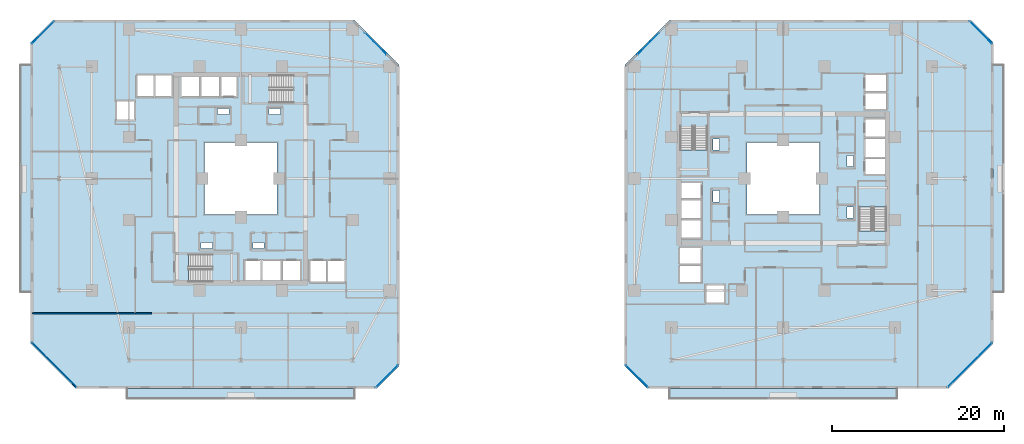
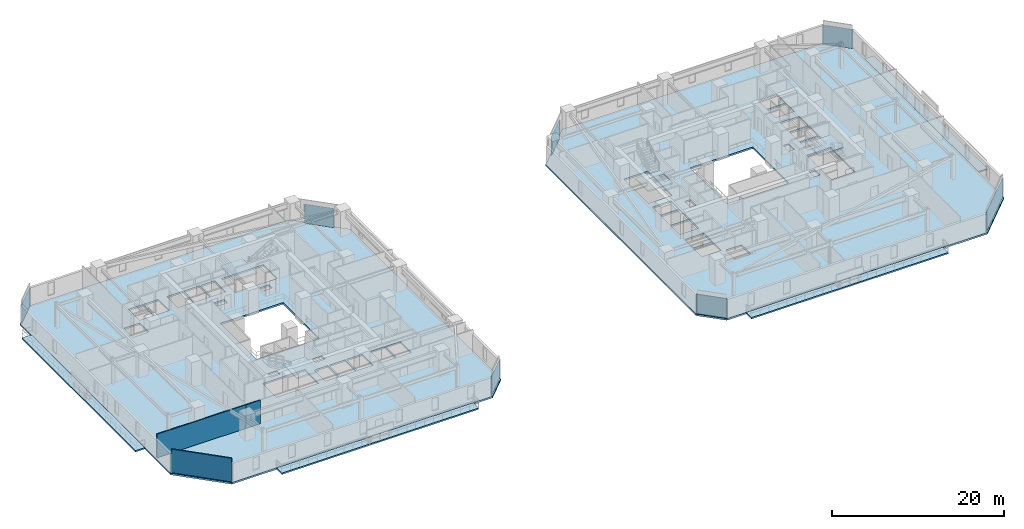
# One storey, part 17 of 33: 10 slabs, 8 plates, 3 walls, 12 elements without a shape of their own.
"""IFC4 building model written with IfcOpenShell, lengths in metres."""

from ifc_helpers import new_model, si_unit, direction, frame, frame_2d, origin, origin_2d, place, context, subcontext, project, spatial, polyline, rectangle, outline, extrude, material, layer, layer_set, type_object, element, aggregate, save


model = new_model("IFC4")

# Units and contexts
model_context = context("Model", 3, precision=1e-05, world=origin(), true_north=direction((0.0, 1.0)))
body_context = subcontext(model_context, "Body", "Model", "MODEL_VIEW")
ifc_project = project(units=[si_unit("LENGTHUNIT", "METRE"), si_unit("AREAUNIT", "SQUARE_METRE"), si_unit("VOLUMEUNIT", "CUBIC_METRE"), si_unit("PLANEANGLEUNIT", "RADIAN"), si_unit("MASSUNIT", "GRAM", prefix="KILO")], contexts=[model_context])

# Site, building, storey
site_placement = place(None, origin())
site = spatial("IfcSite", under=ifc_project, at=site_placement, CompositionType="ELEMENT")
building_placement = place(site_placement, origin())
building = spatial("IfcBuilding", under=site, at=building_placement, Name="Thornwick Lancets Civic Towers", CompositionType="ELEMENT")
storey_placement = place(building_placement, frame((0.0, 0.0, 38.699951171875)))
storey = spatial("IfcBuildingStorey", under=building, at=storey_placement, Name="L09", CompositionType="ELEMENT", Elevation=38.699951171875)

# Curtain wall, plate
ifc_material_1 = material(Name="Low-zone chamfered-corner unitised glass curtain wall", Category="glass")
curtain_wall_type = type_object("IfcCurtainWallType", Name="CW_SYS_03", PredefinedType="NOTDEFINED", material=ifc_material_1)
curtain_wall_1_placement = place(storey_placement, origin())
curtain_wall_1 = element("IfcCurtainWall", 1, at=curtain_wall_1_placement, inside=storey, type_object=curtain_wall_type, Name="L09 Curtain Wall CW-L09-A-E1", PredefinedType="NOTDEFINED")
ifc_material_2 = material(Name="Low-e double glazing clear glass", Category="glass")
ifc_layer_1 = layer(ifc_material_2, 0.035888671875, Name="Low-e double glazing clear glass")
ifc_layer_set_1 = layer_set([ifc_layer_1], Name="Low-e double glazing clear glass")
plate_type = type_object("IfcPlateType", Name="CW_PNL_GLASS", PredefinedType="CURTAIN_PANEL", material=ifc_layer_set_1)
plate_1_placement = place(storey_placement, frame((42.472900390625, 4.027099609375, 0.0), z_axis=(0.0, 0.0, 1.0), x_axis=(0.707106781187, 0.707106781187, 0.0)))
plate_1 = element("IfcPlate", 2, at=plate_1_placement, type_object=plate_type, Name="CW-L09-A-E1 Panel 0", PredefinedType="CURTAIN_PANEL", context=body_context, shape_type="SweptSolid", body=[
    extrude(rectangle(XDim=3.64990234375, YDim=0.035888671875, at=origin_2d()), origin(), (0.0, 0.0, 1.0), 2.699951171875),
])
aggregate(curtain_wall_1, [plate_1])

curtain_wall_2_placement = place(storey_placement, origin())
curtain_wall_2 = element("IfcCurtainWall", 3, at=curtain_wall_2_placement, inside=storey, type_object=curtain_wall_type, Name="L09 Curtain Wall CW-L09-A-E3", PredefinedType="NOTDEFINED")
plate_2_placement = place(storey_placement, frame((41.164794921875, 42.664794921875, 0.0), z_axis=(0.0, 0.0, 1.0), x_axis=(-0.707106781187, 0.707106781187, 0.0)))
plate_2 = element("IfcPlate", 4, at=plate_2_placement, type_object=plate_type, Name="CW-L09-A-E3 Panel 0", PredefinedType="CURTAIN_PANEL", context=body_context, shape_type="SweptSolid", body=[
    extrude(rectangle(XDim=3.5771484375, YDim=0.035888671875, at=origin_2d()), origin(), (0.0, 0.0, 1.0), 2.699951171875),
])
aggregate(curtain_wall_2, [plate_2])

curtain_wall_3_placement = place(storey_placement, origin())
curtain_wall_3 = element("IfcCurtainWall", 5, at=curtain_wall_3_placement, inside=storey, type_object=curtain_wall_type, Name="L09 Curtain Wall CW-L09-A-E5", PredefinedType="NOTDEFINED")
plate_3_placement = place(storey_placement, frame((2.527099609375, 43.972900390625, 0.0), z_axis=(0.0, 0.0, 1.0), x_axis=(-0.707106781187, -0.707106781187, 0.0)))
plate_3 = element("IfcPlate", 6, at=plate_3_placement, type_object=plate_type, Name="CW-L09-A-E5 Panel 0", PredefinedType="CURTAIN_PANEL", context=body_context, shape_type="SweptSolid", body=[
    extrude(rectangle(XDim=3.64990234375, YDim=0.035888671875, at=origin_2d()), origin(), (0.0, 0.0, 1.0), 2.699951171875),
])
aggregate(curtain_wall_3, [plate_3])

curtain_wall_4_placement = place(storey_placement, origin())
curtain_wall_4 = element("IfcCurtainWall", 7, at=curtain_wall_4_placement, inside=storey, type_object=curtain_wall_type, Name="L09 Curtain Wall CW-L09-A-E7", PredefinedType="NOTDEFINED")
plate_4_placement = place(storey_placement, frame((3.835205078125, 5.335205078125, 0.0), z_axis=(0.0, 0.0, 1.0), x_axis=(0.707106781187, -0.707106781187, 0.0)))
plate_4 = element("IfcPlate", 8, at=plate_4_placement, type_object=plate_type, Name="CW-L09-A-E7 Panel 0", PredefinedType="CURTAIN_PANEL", context=body_context, shape_type="SweptSolid", body=[
    extrude(rectangle(XDim=7.325927734375, YDim=0.035888671875, at=origin_2d()), origin(), (0.0, 0.0, 1.0), 2.699951171875),
])
aggregate(curtain_wall_4, [plate_4])

curtain_wall_5_placement = place(storey_placement, origin())
curtain_wall_5 = element("IfcCurtainWall", 9, at=curtain_wall_5_placement, inside=storey, type_object=curtain_wall_type, Name="L09 Curtain Wall CW-L09-B-E1", PredefinedType="NOTDEFINED")
plate_5_placement = place(storey_placement, frame((110.164794921875, 5.335205078125, 0.0), z_axis=(0.0, 0.0, 1.0), x_axis=(0.707106781187, 0.707106781187, 0.0)))
plate_5 = element("IfcPlate", 10, at=plate_5_placement, type_object=plate_type, Name="CW-L09-B-E1 Panel 0", PredefinedType="CURTAIN_PANEL", context=body_context, shape_type="SweptSolid", body=[
    extrude(rectangle(XDim=7.325927734375, YDim=0.035888671875, at=origin_2d()), origin(), (0.0, 0.0, 1.0), 2.699951171875),
])
aggregate(curtain_wall_5, [plate_5])

curtain_wall_6_placement = place(storey_placement, origin())
curtain_wall_6 = element("IfcCurtainWall", 11, at=curtain_wall_6_placement, inside=storey, type_object=curtain_wall_type, Name="L09 Curtain Wall CW-L09-B-E3", PredefinedType="NOTDEFINED")
plate_6_placement = place(storey_placement, frame((111.472900390625, 43.972900390625, 0.0), z_axis=(0.0, 0.0, 1.0), x_axis=(-0.707106781187, 0.707106781187, 0.0)))
plate_6 = element("IfcPlate", 12, at=plate_6_placement, type_object=plate_type, Name="CW-L09-B-E3 Panel 0", PredefinedType="CURTAIN_PANEL", context=body_context, shape_type="SweptSolid", body=[
    extrude(rectangle(XDim=3.64990234375, YDim=0.035888671875, at=origin_2d()), origin(), (0.0, 0.0, 1.0), 2.699951171875),
])
aggregate(curtain_wall_6, [plate_6])

curtain_wall_7_placement = place(storey_placement, origin())
curtain_wall_7 = element("IfcCurtainWall", 13, at=curtain_wall_7_placement, inside=storey, type_object=curtain_wall_type, Name="L09 Curtain Wall CW-L09-B-E5", PredefinedType="NOTDEFINED")
plate_7_placement = place(storey_placement, frame((72.835205078125, 42.664794921875, 0.0), z_axis=(0.0, 0.0, 1.0), x_axis=(-0.707106781187, -0.707106781187, 0.0)))
plate_7 = element("IfcPlate", 14, at=plate_7_placement, type_object=plate_type, Name="CW-L09-B-E5 Panel 0", PredefinedType="CURTAIN_PANEL", context=body_context, shape_type="SweptSolid", body=[
    extrude(rectangle(XDim=3.5771484375, YDim=0.035888671875, at=origin_2d()), origin(), (0.0, 0.0, 1.0), 2.699951171875),
])
aggregate(curtain_wall_7, [plate_7])

curtain_wall_8_placement = place(storey_placement, origin())
curtain_wall_8 = element("IfcCurtainWall", 15, at=curtain_wall_8_placement, inside=storey, type_object=curtain_wall_type, Name="L09 Curtain Wall CW-L09-B-E7", PredefinedType="NOTDEFINED")
plate_8_placement = place(storey_placement, frame((71.527099609375, 4.027099609375, 0.0), z_axis=(0.0, 0.0, 1.0), x_axis=(0.707106781187, -0.707106781187, 0.0)))
plate_8 = element("IfcPlate", 16, at=plate_8_placement, type_object=plate_type, Name="CW-L09-B-E7 Panel 0", PredefinedType="CURTAIN_PANEL", context=body_context, shape_type="SweptSolid", body=[
    extrude(rectangle(XDim=3.64990234375, YDim=0.035888671875, at=origin_2d()), origin(), (0.0, 0.0, 1.0), 2.699951171875),
])
aggregate(curtain_wall_8, [plate_8])

# Slabs
ifc_material_3 = material(Name="Post-tensioned concrete C40/50", Category="concrete")
ifc_layer_2 = layer(ifc_material_3, 0.199951171875, Name="Post-tensioned concrete C40/50")
ifc_layer_set_2 = layer_set([ifc_layer_2], Name="Post-tensioned concrete C40/50")
slab_type_1 = type_object("IfcSlabType", Name="SLAB_BALCONY_200", PredefinedType="FLOOR", material=ifc_layer_set_2)
slab_1_placement = place(storey_placement, frame((0.0, 0.0, -0.199951171875)))
element("IfcSlab", 17, at=slab_1_placement, inside=storey, type_object=slab_type_1, Name="L09 Tower A Planted Balcony Slab W", PredefinedType="FLOOR", context=body_context, shape_type="SweptSolid", body=[
    extrude(outline(polyline([(-0.14990234375, 13.800048828125), (1.10009765625, 13.800048828125), (1.10009765625, 40.199951171875), (-0.14990234375, 40.199951171875), (-0.14990234375, 13.800048828125)])), origin(), (0.0, 0.0, 1.0), 0.199951171875),
])
slab_2_placement = place(storey_placement, frame((0.0, 0.0, -0.199951171875)))
element("IfcSlab", 18, at=slab_2_placement, inside=storey, type_object=slab_type_1, Name="L09 Tower A Planted Balcony Slab S", PredefinedType="FLOOR", context=body_context, shape_type="SweptSolid", body=[
    extrude(outline(polyline([(12.300048828125, 1.35009765625), (38.699951171875, 1.35009765625), (38.699951171875, 2.60009765625), (12.300048828125, 2.60009765625), (12.300048828125, 1.35009765625)])), origin(), (0.0, 0.0, 1.0), 0.199951171875),
])
slab_3_placement = place(storey_placement, frame((0.0, 0.0, -0.199951171875)))
element("IfcSlab", 19, at=slab_3_placement, inside=storey, type_object=slab_type_1, Name="L09 Tower B Planted Balcony Slab E", PredefinedType="FLOOR", context=body_context, shape_type="SweptSolid", body=[
    extrude(outline(polyline([(112.89990234375, 13.800048828125), (114.14990234375, 13.800048828125), (114.14990234375, 40.199951171875), (112.89990234375, 40.199951171875), (112.89990234375, 13.800048828125)])), origin(), (0.0, 0.0, 1.0), 0.199951171875),
])
slab_4_placement = place(storey_placement, frame((0.0, 0.0, -0.199951171875)))
element("IfcSlab", 20, at=slab_4_placement, inside=storey, type_object=slab_type_1, Name="L09 Tower B Planted Balcony Slab S", PredefinedType="FLOOR", context=body_context, shape_type="SweptSolid", body=[
    extrude(outline(polyline([(75.300048828125, 1.35009765625), (101.699951171875, 1.35009765625), (101.699951171875, 2.60009765625), (75.300048828125, 2.60009765625), (75.300048828125, 1.35009765625)])), origin(), (0.0, 0.0, 1.0), 0.199951171875),
])

# Stair, slab
ifc_material_4 = material(Name="Concrete C40/50", Category="concrete")
stair_type = type_object("IfcStairType", Name="STAIR_DL_3600", PredefinedType="HALF_TURN_STAIR", material=ifc_material_4)
stair_1_placement = place(storey_placement, origin())
stair_1 = element("IfcStair", 21, at=stair_1_placement, inside=storey, type_object=stair_type, Name="L09 Tower A South Exit Stair ST-A1", PredefinedType="HALF_TURN_STAIR")
ifc_layer_3 = layer(ifc_material_4, 0.25, Name="Concrete C40/50")
ifc_layer_set_3 = layer_set([ifc_layer_3], Name="Concrete C40/50")
slab_type_2 = type_object("IfcSlabType", Name="SLAB_LANDING_200", PredefinedType="LANDING", material=ifc_layer_set_3)
slab_5_placement = place(storey_placement, frame((0.0, 0.0, 1.60302734375)))
slab_5 = element("IfcSlab", 22, at=slab_5_placement, type_object=slab_type_2, Name="ST-A1 landing 1", PredefinedType="LANDING", context=body_context, shape_type="SweptSolid", body=[
    extrude(outline(polyline([(22.169921875, 14.93994140625), (25.14990234375, 14.93994140625), (25.14990234375, 18.260009765625), (22.169921875, 18.260009765625), (22.169921875, 14.93994140625)])), origin(), (0.0, 0.0, 1.0), 0.199951171875),
])
aggregate(stair_1, [slab_5])

stair_2_placement = place(storey_placement, origin())
stair_2 = element("IfcStair", 23, at=stair_2_placement, inside=storey, type_object=stair_type, Name="L09 Tower A North Exit Stair ST-A2", PredefinedType="HALF_TURN_STAIR")
slab_6_placement = place(storey_placement, frame((0.0, 0.0, 1.60302734375)))
slab_6 = element("IfcSlab", 24, at=slab_6_placement, type_object=slab_type_2, Name="ST-A2 landing 1", PredefinedType="LANDING", context=body_context, shape_type="SweptSolid", body=[
    extrude(outline(polyline([(28.830078125, 39.06005859375), (25.85009765625, 39.06005859375), (25.85009765625, 35.739990234375), (28.830078125, 35.739990234375), (28.830078125, 39.06005859375)])), origin(), (0.0, 0.0, 1.0), 0.199951171875),
])
aggregate(stair_2, [slab_6])

stair_3_placement = place(storey_placement, origin())
stair_3 = element("IfcStair", 25, at=stair_3_placement, inside=storey, type_object=stair_type, Name="L09 Tower B East Exit Stair ST-B1", PredefinedType="HALF_TURN_STAIR")
slab_7_placement = place(storey_placement, frame((0.0, 0.0, 1.60302734375)))
slab_7 = element("IfcSlab", 26, at=slab_7_placement, type_object=slab_type_2, Name="ST-B1 landing 1", PredefinedType="LANDING", context=body_context, shape_type="SweptSolid", body=[
    extrude(outline(polyline([(100.56005859375, 23.669921875), (100.56005859375, 26.64990234375), (97.239990234375, 26.64990234375), (97.239990234375, 23.669921875), (100.56005859375, 23.669921875)])), origin(), (0.0, 0.0, 1.0), 0.199951171875),
])
aggregate(stair_3, [slab_7])

stair_4_placement = place(storey_placement, origin())
stair_4 = element("IfcStair", 27, at=stair_4_placement, inside=storey, type_object=stair_type, Name="L09 Tower B West Exit Stair ST-B2", PredefinedType="HALF_TURN_STAIR")
slab_8_placement = place(storey_placement, frame((0.0, 0.0, 1.60302734375)))
slab_8 = element("IfcSlab", 28, at=slab_8_placement, type_object=slab_type_2, Name="ST-B2 landing 1", PredefinedType="LANDING", context=body_context, shape_type="SweptSolid", body=[
    extrude(outline(polyline([(76.43994140625, 30.330078125), (76.43994140625, 27.35009765625), (79.760009765625, 27.35009765625), (79.760009765625, 30.330078125), (76.43994140625, 30.330078125)])), origin(), (0.0, 0.0, 1.0), 0.199951171875),
])
aggregate(stair_4, [slab_8])

# Slabs
ifc_layer_4 = layer(ifc_material_3, 0.239990234375, Name="Post-tensioned concrete C40/50")
ifc_layer_set_4 = layer_set([ifc_layer_4], Name="Post-tensioned concrete C40/50")
slab_type_3 = type_object("IfcSlabType", Name="SLAB_PT_240", PredefinedType="FLOOR", material=ifc_layer_set_4)
slab_9_placement = place(storey_placement, frame((0.0, 0.0, -0.239990234375)))
element("IfcSlab", 29, at=slab_9_placement, inside=storey, type_object=slab_type_3, Name="L09 Tower A Floor Slab", PredefinedType="FLOOR", context=body_context, shape_type="SweptSolid", body=[
    extrude(outline(polyline([(6.318115234375, 2.60009765625), (41.300048828125, 2.60009765625), (43.89990234375, 5.199951171875), (43.89990234375, 40.181884765625), (38.681884765625, 45.39990234375), (3.699951171875, 45.39990234375), (1.10009765625, 42.800048828125), (1.10009765625, 7.818115234375), (6.318115234375, 2.60009765625)]), holes=[polyline([(21.300048828125, 22.800048828125), (29.699951171875, 22.800048828125), (29.699951171875, 31.199951171875), (21.300048828125, 31.199951171875), (21.300048828125, 22.800048828125)]), polyline([(19.429931640625, 15.0), (25.10009765625, 15.0), (25.10009765625, 18.199951171875), (19.429931640625, 18.199951171875), (19.429931640625, 15.0)]), polyline([(31.570068359375, 39.0), (25.89990234375, 39.0), (25.89990234375, 35.800048828125), (31.570068359375, 35.800048828125), (31.570068359375, 39.0)]), polyline([(26.0, 15.0), (27.800048828125, 15.0), (27.800048828125, 17.550048828125), (26.0, 17.550048828125), (26.0, 15.0)]), polyline([(28.0, 15.0), (30.14990234375, 15.0), (30.14990234375, 17.550048828125), (28.0, 17.550048828125), (28.0, 15.0)]), polyline([(30.35009765625, 15.0), (32.39990234375, 15.0), (32.39990234375, 17.550048828125), (30.35009765625, 17.550048828125), (30.35009765625, 15.0)]), polyline([(33.550048828125, 15.0), (35.449951171875, 15.0), (35.449951171875, 17.550048828125), (33.550048828125, 17.550048828125), (33.550048828125, 15.0)]), polyline([(35.60009765625, 15.0), (37.550048828125, 15.0), (37.550048828125, 17.550048828125), (35.60009765625, 17.550048828125), (35.60009765625, 15.0)]), polyline([(23.199951171875, 36.449951171875), (25.0, 36.449951171875), (25.0, 39.0), (23.199951171875, 39.0), (23.199951171875, 36.449951171875)]), polyline([(20.85009765625, 36.449951171875), (23.0, 36.449951171875), (23.0, 39.0), (20.85009765625, 39.0), (20.85009765625, 36.449951171875)]), polyline([(18.60009765625, 36.449951171875), (20.699951171875, 36.449951171875), (20.699951171875, 39.0), (18.60009765625, 39.0), (18.60009765625, 36.449951171875)]), polyline([(15.550048828125, 36.449951171875), (17.449951171875, 36.449951171875), (17.449951171875, 39.0), (15.550048828125, 39.0), (15.550048828125, 36.449951171875)]), polyline([(13.449951171875, 36.449951171875), (15.39990234375, 36.449951171875), (15.39990234375, 39.0), (13.449951171875, 39.0), (13.449951171875, 36.449951171875)]), polyline([(11.10009765625, 33.85009765625), (13.199951171875, 33.85009765625), (13.199951171875, 35.949951171875), (11.10009765625, 35.949951171875), (11.10009765625, 33.85009765625)]), polyline([(26.89990234375, 18.85009765625), (28.199951171875, 18.85009765625), (28.199951171875, 19.580078125), (26.89990234375, 19.580078125), (26.89990234375, 18.85009765625)]), polyline([(20.89990234375, 18.85009765625), (22.199951171875, 18.85009765625), (22.199951171875, 19.580078125), (20.89990234375, 19.580078125), (20.89990234375, 18.85009765625)]), polyline([(22.800048828125, 34.419921875), (24.10009765625, 34.419921875), (24.10009765625, 35.14990234375), (22.800048828125, 35.14990234375), (22.800048828125, 34.419921875)]), polyline([(28.800048828125, 34.419921875), (30.10009765625, 34.419921875), (30.10009765625, 35.14990234375), (28.800048828125, 35.14990234375), (28.800048828125, 34.419921875)])]), origin(), (0.0, 0.0, 1.0), 0.239990234375),
])
slab_10_placement = place(storey_placement, frame((0.0, 0.0, -0.239990234375)))
element("IfcSlab", 30, at=slab_10_placement, inside=storey, type_object=slab_type_3, Name="L09 Tower B Floor Slab", PredefinedType="FLOOR", context=body_context, shape_type="SweptSolid", body=[
    extrude(outline(polyline([(72.699951171875, 2.60009765625), (107.681884765625, 2.60009765625), (112.89990234375, 7.818115234375), (112.89990234375, 42.800048828125), (110.300048828125, 45.39990234375), (75.318115234375, 45.39990234375), (70.10009765625, 40.181884765625), (70.10009765625, 5.199951171875), (72.699951171875, 2.60009765625)]), holes=[polyline([(84.300048828125, 22.800048828125), (92.699951171875, 22.800048828125), (92.699951171875, 31.199951171875), (84.300048828125, 31.199951171875), (84.300048828125, 22.800048828125)]), polyline([(100.5, 20.929931640625), (100.5, 26.60009765625), (97.300048828125, 26.60009765625), (97.300048828125, 20.929931640625), (100.5, 20.929931640625)]), polyline([(76.5, 33.070068359375), (76.5, 27.39990234375), (79.699951171875, 27.39990234375), (79.699951171875, 33.070068359375), (76.5, 33.070068359375)]), polyline([(97.949951171875, 27.5), (100.5, 27.5), (100.5, 29.300048828125), (97.949951171875, 29.300048828125), (97.949951171875, 27.5)]), polyline([(97.949951171875, 29.5), (100.5, 29.5), (100.5, 31.64990234375), (97.949951171875, 31.64990234375), (97.949951171875, 29.5)]), polyline([(97.949951171875, 31.85009765625), (100.5, 31.85009765625), (100.5, 33.89990234375), (97.949951171875, 33.89990234375), (97.949951171875, 31.85009765625)]), polyline([(97.949951171875, 35.050048828125), (100.5, 35.050048828125), (100.5, 36.949951171875), (97.949951171875, 36.949951171875), (97.949951171875, 35.050048828125)]), polyline([(97.949951171875, 37.10009765625), (100.5, 37.10009765625), (100.5, 39.050048828125), (97.949951171875, 39.050048828125), (97.949951171875, 37.10009765625)]), polyline([(76.5, 24.699951171875), (79.050048828125, 24.699951171875), (79.050048828125, 26.5), (76.5, 26.5), (76.5, 24.699951171875)]), polyline([(76.5, 22.35009765625), (79.050048828125, 22.35009765625), (79.050048828125, 24.5), (76.5, 24.5), (76.5, 22.35009765625)]), polyline([(76.5, 20.10009765625), (79.050048828125, 20.10009765625), (79.050048828125, 22.199951171875), (76.5, 22.199951171875), (76.5, 20.10009765625)]), polyline([(76.5, 17.050048828125), (79.050048828125, 17.050048828125), (79.050048828125, 18.949951171875), (76.5, 18.949951171875), (76.5, 17.050048828125)]), polyline([(76.5, 14.949951171875), (79.050048828125, 14.949951171875), (79.050048828125, 16.89990234375), (76.5, 16.89990234375), (76.5, 14.949951171875)]), polyline([(79.550048828125, 12.60009765625), (81.64990234375, 12.60009765625), (81.64990234375, 14.699951171875), (79.550048828125, 14.699951171875), (79.550048828125, 12.60009765625)]), polyline([(95.919921875, 28.39990234375), (96.64990234375, 28.39990234375), (96.64990234375, 29.699951171875), (95.919921875, 29.699951171875), (95.919921875, 28.39990234375)]), polyline([(95.919921875, 22.39990234375), (96.64990234375, 22.39990234375), (96.64990234375, 23.699951171875), (95.919921875, 23.699951171875), (95.919921875, 22.39990234375)]), polyline([(80.35009765625, 24.300048828125), (81.080078125, 24.300048828125), (81.080078125, 25.60009765625), (80.35009765625, 25.60009765625), (80.35009765625, 24.300048828125)]), polyline([(80.35009765625, 30.300048828125), (81.080078125, 30.300048828125), (81.080078125, 31.60009765625), (80.35009765625, 31.60009765625), (80.35009765625, 30.300048828125)])]), origin(), (0.0, 0.0, 1.0), 0.239990234375),
])

# Walls
ifc_material_5 = material(Name="Acoustic gypsum board partition")
ifc_layer_5 = layer(ifc_material_5, 0.1201171875, Name="Acoustic gypsum board partition")
ifc_layer_set_5 = layer_set([ifc_layer_5], Name="Acoustic gypsum board partition")
wall_type = type_object("IfcWallType", Name="WALL_PART_120", PredefinedType="PARTITIONING", material=ifc_layer_set_5)
wall_1_placement = place(storey_placement, frame((13.25, 11.35009765625, 0.0), z_axis=(0.0, 0.0, 1.0), x_axis=(-1.0, 0.0, 0.0)))
element("IfcWall", 31, at=wall_1_placement, inside=storey, type_object=wall_type, Name="L09 Partition L09-A-W1 E4", PredefinedType="PARTITIONING", context=body_context, shape_type="SweptSolid", body=[
    extrude(rectangle(XDim=11.969970703125, YDim=0.1201171875, at=frame_2d((5.98486328125, 0.0))), origin(), (0.0, 0.0, 1.0), 3.340087890625),
])
wall_2_placement = place(storey_placement, frame((6.392578125, 2.780029296875, 0.0), z_axis=(0.0, 0.0, 1.0), x_axis=(-0.707106781187, 0.707106781187, 0.0)))
element("IfcWall", 32, at=wall_2_placement, inside=storey, type_object=wall_type, Name="L09 Partition L09-A-S-OFF1 E2", PredefinedType="PARTITIONING", context=body_context, shape_type="SweptSolid", body=[
    extrude(rectangle(XDim=7.230224609375, YDim=0.1201171875, at=frame_2d((3.615234375, 0.0))), origin(), (0.0, 0.0, 1.0), 3.340087890625),
])
wall_3_placement = place(storey_placement, frame((13.25, 11.35009765625, 0.0), z_axis=(0.0, 0.0, 1.0), x_axis=(1.0, 0.0, 0.0)))
element("IfcWall", 33, at=wall_3_placement, inside=storey, type_object=wall_type, Name="L09 Partition L09-A-S-OFF1 E5", PredefinedType="PARTITIONING", context=body_context, shape_type="SweptSolid", body=[
    extrude(rectangle(XDim=1.89990234375, YDim=0.1201171875, at=frame_2d((0.949951171875, 0.0))), origin(), (0.0, 0.0, 1.0), 3.340087890625),
])

save(model, "model.ifc")
